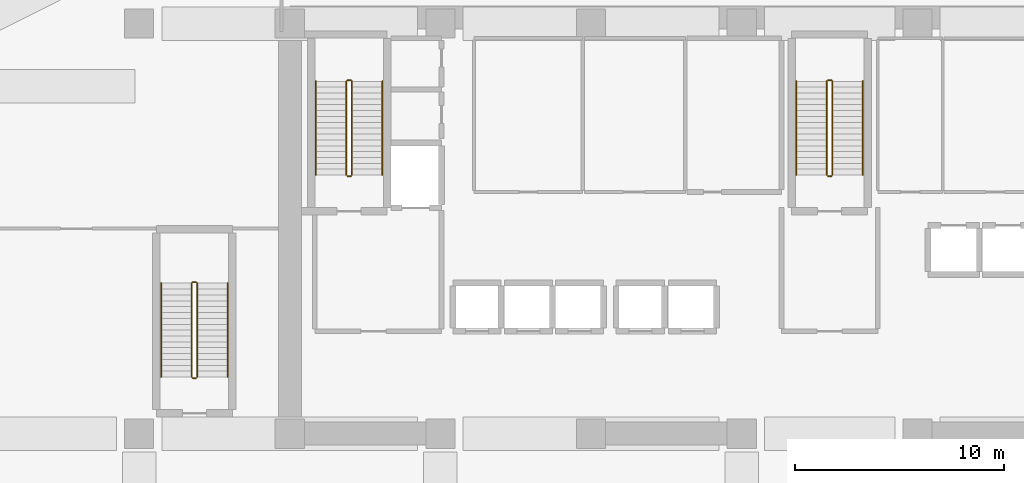
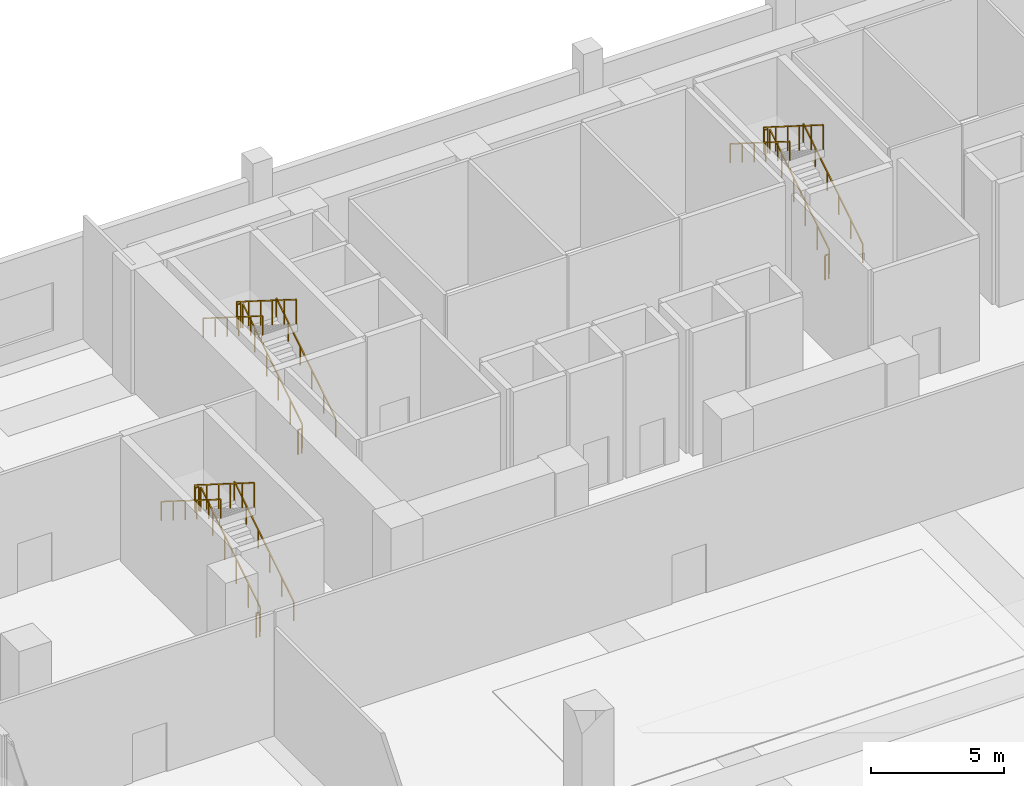
# One storey, part 24 of 25: 18 railings.
"""IFC4 building model written with IfcOpenShell, lengths in metres."""

from ifc_helpers import new_model, si_unit, direction, frame, origin, origin_2d, place, context, subcontext, project, spatial, rectangle, extrude, material, type_object, element, save


model = new_model("IFC4")

# Units and contexts
model_context = context("Model", 3, precision=1e-05, world=origin(), true_north=direction((0.0, 1.0)))
body_context = subcontext(model_context, "Body", "Model", "MODEL_VIEW")
ifc_project = project(units=[si_unit("LENGTHUNIT", "METRE"), si_unit("AREAUNIT", "SQUARE_METRE"), si_unit("VOLUMEUNIT", "CUBIC_METRE"), si_unit("PLANEANGLEUNIT", "RADIAN"), si_unit("MASSUNIT", "GRAM", prefix="KILO")], contexts=[model_context])

# Site, building, storey
site_placement = place(None, origin())
site = spatial("IfcSite", under=ifc_project, at=site_placement, CompositionType="ELEMENT")
building_placement = place(site_placement, origin())
building = spatial("IfcBuilding", under=site, at=building_placement, Name="Kaelvorn Grand Hotel", CompositionType="ELEMENT")
storey_placement = place(building_placement, frame((0.0, 0.0, 8.0)))
storey = spatial("IfcBuildingStorey", under=building, at=storey_placement, Name="L01", CompositionType="ELEMENT", Elevation=8.0)

# Railings
ifc_material = material(Name="Stainless Steel", Category="steel")
railing_type_1 = type_object("IfcRailingType", Name="RL-HANDRAIL-900", PredefinedType="HANDRAIL", material=ifc_material)
railing_1_placement = place(storey_placement, frame((20.6298828125, 41.760009765625, 0.176513671875)))
element("IfcRailing", 1, at=railing_1_placement, inside=storey, type_object=railing_type_1, Name="L01 ST1 stair handrail 1", PredefinedType="HANDRAIL", context=body_context, shape_type="SweptSolid", body=[
    extrude(rectangle(XDim=0.048095703125, YDim=0.048095703125, at=origin_2d()), frame((0.0, 0.0, 0.8759765625), z_axis=(0.0, 0.845997938375, 0.533186166611), x_axis=(-1.0, 0.0, 0.0)), (0.0, 0.0, 1.0), 5.29541015625),
    extrude(rectangle(XDim=0.0419921875, YDim=0.0419921875, at=origin_2d()), origin(), (0.0, 0.0, 1.0), 0.851806640625),
    extrude(rectangle(XDim=0.0419921875, YDim=0.0419921875, at=origin_2d()), frame((0.0, 0.89599609375, 0.564697265625)), (0.0, 0.0, 1.0), 0.851806640625),
    extrude(rectangle(XDim=0.0419921875, YDim=0.0419921875, at=origin_2d()), frame((0.0, 1.7919921875, 1.12939453125)), (0.0, 0.0, 1.0), 0.851806640625),
    extrude(rectangle(XDim=0.0419921875, YDim=0.0419921875, at=origin_2d()), frame((0.0, 2.68798828125, 1.694091796875)), (0.0, 0.0, 1.0), 0.851806640625),
    extrude(rectangle(XDim=0.0419921875, YDim=0.0419921875, at=origin_2d()), frame((0.0, 3.583984375, 2.2587890625)), (0.0, 0.0, 1.0), 0.851806640625),
    extrude(rectangle(XDim=0.0419921875, YDim=0.0419921875, at=origin_2d()), frame((0.0, 4.47998046875, 2.823486328125)), (0.0, 0.0, 1.0), 0.851806640625),
])
railing_2_placement = place(storey_placement, frame((17.449951171875, 46.239990234375, 3.176513671875)))
element("IfcRailing", 2, at=railing_2_placement, inside=storey, type_object=railing_type_1, Name="L01 ST1 stair handrail 2", PredefinedType="HANDRAIL", context=body_context, shape_type="SweptSolid", body=[
    extrude(rectangle(XDim=0.048095703125, YDim=0.048095703125, at=origin_2d()), frame((0.0, 0.0, 0.8759765625), z_axis=(0.0, -0.845997938375, 0.533186166611), x_axis=(1.0, 0.0, 0.0)), (0.0, 0.0, 1.0), 5.29541015625),
    extrude(rectangle(XDim=0.0419921875, YDim=0.0419921875, at=origin_2d()), origin(), (0.0, 0.0, 1.0), 0.851806640625),
    extrude(rectangle(XDim=0.0419921875, YDim=0.0419921875, at=origin_2d()), frame((0.0, -0.89599609375, 0.564697265625)), (0.0, 0.0, 1.0), 0.851806640625),
    extrude(rectangle(XDim=0.0419921875, YDim=0.0419921875, at=origin_2d()), frame((0.0, -1.7919921875, 1.12939453125)), (0.0, 0.0, 1.0), 0.851806640625),
    extrude(rectangle(XDim=0.0419921875, YDim=0.0419921875, at=origin_2d()), frame((0.0, -2.68798828125, 1.694091796875)), (0.0, 0.0, 1.0), 0.851806640625),
    extrude(rectangle(XDim=0.0419921875, YDim=0.0419921875, at=origin_2d()), frame((0.0, -3.583984375, 2.2587890625)), (0.0, 0.0, 1.0), 0.851806640625),
    extrude(rectangle(XDim=0.0419921875, YDim=0.0419921875, at=origin_2d()), frame((0.0, -4.47998046875, 2.823486328125)), (0.0, 0.0, 1.0), 0.851806640625),
])
railing_3_placement = place(storey_placement, frame((43.590087890625, 41.760009765625, 0.176513671875)))
element("IfcRailing", 3, at=railing_3_placement, inside=storey, type_object=railing_type_1, Name="L01 ST2 stair handrail 1", PredefinedType="HANDRAIL", context=body_context, shape_type="SweptSolid", body=[
    extrude(rectangle(XDim=0.048095703125, YDim=0.048095703125, at=origin_2d()), frame((0.0, 0.0, 0.8759765625), z_axis=(0.0, 0.845997938375, 0.533186166611), x_axis=(-1.0, 0.0, 0.0)), (0.0, 0.0, 1.0), 5.29541015625),
    extrude(rectangle(XDim=0.0419921875, YDim=0.0419921875, at=origin_2d()), origin(), (0.0, 0.0, 1.0), 0.851806640625),
    extrude(rectangle(XDim=0.0419921875, YDim=0.0419921875, at=origin_2d()), frame((0.0, 0.89599609375, 0.564697265625)), (0.0, 0.0, 1.0), 0.851806640625),
    extrude(rectangle(XDim=0.0419921875, YDim=0.0419921875, at=origin_2d()), frame((0.0, 1.7919921875, 1.12939453125)), (0.0, 0.0, 1.0), 0.851806640625),
    extrude(rectangle(XDim=0.0419921875, YDim=0.0419921875, at=origin_2d()), frame((0.0, 2.68798828125, 1.694091796875)), (0.0, 0.0, 1.0), 0.851806640625),
    extrude(rectangle(XDim=0.0419921875, YDim=0.0419921875, at=origin_2d()), frame((0.0, 3.583984375, 2.2587890625)), (0.0, 0.0, 1.0), 0.851806640625),
    extrude(rectangle(XDim=0.0419921875, YDim=0.0419921875, at=origin_2d()), frame((0.0, 4.47998046875, 2.823486328125)), (0.0, 0.0, 1.0), 0.851806640625),
])
railing_4_placement = place(storey_placement, frame((40.409912109375, 46.239990234375, 3.176513671875)))
element("IfcRailing", 4, at=railing_4_placement, inside=storey, type_object=railing_type_1, Name="L01 ST2 stair handrail 2", PredefinedType="HANDRAIL", context=body_context, shape_type="SweptSolid", body=[
    extrude(rectangle(XDim=0.048095703125, YDim=0.048095703125, at=origin_2d()), frame((0.0, 0.0, 0.8759765625), z_axis=(0.0, -0.845997938375, 0.533186166611), x_axis=(1.0, 0.0, 0.0)), (0.0, 0.0, 1.0), 5.29541015625),
    extrude(rectangle(XDim=0.0419921875, YDim=0.0419921875, at=origin_2d()), origin(), (0.0, 0.0, 1.0), 0.851806640625),
    extrude(rectangle(XDim=0.0419921875, YDim=0.0419921875, at=origin_2d()), frame((0.0, -0.89599609375, 0.564697265625)), (0.0, 0.0, 1.0), 0.851806640625),
    extrude(rectangle(XDim=0.0419921875, YDim=0.0419921875, at=origin_2d()), frame((0.0, -1.7919921875, 1.12939453125)), (0.0, 0.0, 1.0), 0.851806640625),
    extrude(rectangle(XDim=0.0419921875, YDim=0.0419921875, at=origin_2d()), frame((0.0, -2.68798828125, 1.694091796875)), (0.0, 0.0, 1.0), 0.851806640625),
    extrude(rectangle(XDim=0.0419921875, YDim=0.0419921875, at=origin_2d()), frame((0.0, -3.583984375, 2.2587890625)), (0.0, 0.0, 1.0), 0.851806640625),
    extrude(rectangle(XDim=0.0419921875, YDim=0.0419921875, at=origin_2d()), frame((0.0, -4.47998046875, 2.823486328125)), (0.0, 0.0, 1.0), 0.851806640625),
])
railing_5_placement = place(storey_placement, frame((13.22998046875, 32.110107421875, 0.176513671875)))
element("IfcRailing", 5, at=railing_5_placement, inside=storey, type_object=railing_type_1, Name="L01 ST4 stair handrail 1", PredefinedType="HANDRAIL", context=body_context, shape_type="SweptSolid", body=[
    extrude(rectangle(XDim=0.048095703125, YDim=0.048095703125, at=origin_2d()), frame((0.0, 0.0, 0.8759765625), z_axis=(0.0, 0.845997938375, 0.533186166611), x_axis=(-1.0, 0.0, 0.0)), (0.0, 0.0, 1.0), 5.29541015625),
    extrude(rectangle(XDim=0.0419921875, YDim=0.0419921875, at=origin_2d()), origin(), (0.0, 0.0, 1.0), 0.851806640625),
    extrude(rectangle(XDim=0.0419921875, YDim=0.0419921875, at=origin_2d()), frame((0.0, 0.89599609375, 0.564697265625)), (0.0, 0.0, 1.0), 0.851806640625),
    extrude(rectangle(XDim=0.0419921875, YDim=0.0419921875, at=origin_2d()), frame((0.0, 1.7919921875, 1.12939453125)), (0.0, 0.0, 1.0), 0.851806640625),
    extrude(rectangle(XDim=0.0419921875, YDim=0.0419921875, at=origin_2d()), frame((0.0, 2.68798828125, 1.694091796875)), (0.0, 0.0, 1.0), 0.851806640625),
    extrude(rectangle(XDim=0.0419921875, YDim=0.0419921875, at=origin_2d()), frame((0.0, 3.583984375, 2.2587890625)), (0.0, 0.0, 1.0), 0.851806640625),
    extrude(rectangle(XDim=0.0419921875, YDim=0.0419921875, at=origin_2d()), frame((0.0, 4.47998046875, 2.823486328125)), (0.0, 0.0, 1.0), 0.851806640625),
])
railing_6_placement = place(storey_placement, frame((10.050048828125, 36.590087890625, 3.176513671875)))
element("IfcRailing", 6, at=railing_6_placement, inside=storey, type_object=railing_type_1, Name="L01 ST4 stair handrail 2", PredefinedType="HANDRAIL", context=body_context, shape_type="SweptSolid", body=[
    extrude(rectangle(XDim=0.048095703125, YDim=0.048095703125, at=origin_2d()), frame((0.0, 0.0, 0.8759765625), z_axis=(0.0, -0.845997938375, 0.533186166611), x_axis=(1.0, 0.0, 0.0)), (0.0, 0.0, 1.0), 5.29541015625),
    extrude(rectangle(XDim=0.0419921875, YDim=0.0419921875, at=origin_2d()), origin(), (0.0, 0.0, 1.0), 0.851806640625),
    extrude(rectangle(XDim=0.0419921875, YDim=0.0419921875, at=origin_2d()), frame((0.0, -0.89599609375, 0.564697265625)), (0.0, 0.0, 1.0), 0.851806640625),
    extrude(rectangle(XDim=0.0419921875, YDim=0.0419921875, at=origin_2d()), frame((0.0, -1.7919921875, 1.12939453125)), (0.0, 0.0, 1.0), 0.851806640625),
    extrude(rectangle(XDim=0.0419921875, YDim=0.0419921875, at=origin_2d()), frame((0.0, -2.68798828125, 1.694091796875)), (0.0, 0.0, 1.0), 0.851806640625),
    extrude(rectangle(XDim=0.0419921875, YDim=0.0419921875, at=origin_2d()), frame((0.0, -3.583984375, 2.2587890625)), (0.0, 0.0, 1.0), 0.851806640625),
    extrude(rectangle(XDim=0.0419921875, YDim=0.0419921875, at=origin_2d()), frame((0.0, -4.47998046875, 2.823486328125)), (0.0, 0.0, 1.0), 0.851806640625),
])
railing_type_2 = type_object("IfcRailingType", Name="RL-STAIR-GUARD-1150", PredefinedType="BALUSTRADE", material=ifc_material)
railing_7_placement = place(storey_placement, frame((19.169921875, 41.760009765625, 0.176513671875)))
element("IfcRailing", 7, at=railing_7_placement, inside=storey, type_object=railing_type_2, Name="L01 ST1 stair guard 1", PredefinedType="BALUSTRADE", context=body_context, shape_type="SweptSolid", body=[
    extrude(rectangle(XDim=0.048095703125, YDim=0.048095703125, at=origin_2d()), frame((0.0, 0.0, 1.1259765625), z_axis=(0.0, 0.845997938375, 0.533186166611), x_axis=(-1.0, 0.0, 0.0)), (0.0, 0.0, 1.0), 5.29541015625),
    extrude(rectangle(XDim=0.0419921875, YDim=0.0419921875, at=origin_2d()), origin(), (0.0, 0.0, 1.0), 1.101806640625),
    extrude(rectangle(XDim=0.0419921875, YDim=0.0419921875, at=origin_2d()), frame((0.0, 0.89599609375, 0.564697265625)), (0.0, 0.0, 1.0), 1.101806640625),
    extrude(rectangle(XDim=0.0419921875, YDim=0.0419921875, at=origin_2d()), frame((0.0, 1.7919921875, 1.12939453125)), (0.0, 0.0, 1.0), 1.101806640625),
    extrude(rectangle(XDim=0.0419921875, YDim=0.0419921875, at=origin_2d()), frame((0.0, 2.68798828125, 1.694091796875)), (0.0, 0.0, 1.0), 1.101806640625),
    extrude(rectangle(XDim=0.0419921875, YDim=0.0419921875, at=origin_2d()), frame((0.0, 3.583984375, 2.2587890625)), (0.0, 0.0, 1.0), 1.101806640625),
    extrude(rectangle(XDim=0.0419921875, YDim=0.0419921875, at=origin_2d()), frame((0.0, 4.47998046875, 2.823486328125)), (0.0, 0.0, 1.0), 1.101806640625),
])
railing_8_placement = place(storey_placement, frame((19.1201171875, 46.2900390625, 3.0)))
element("IfcRailing", 8, at=railing_8_placement, inside=storey, type_object=railing_type_2, Name="L01 ST1 stair guard 2", PredefinedType="BALUSTRADE", context=body_context, shape_type="SweptSolid", body=[
    extrude(rectangle(XDim=0.048095703125, YDim=0.048095703125, at=origin_2d()), frame((0.0, 0.0, 1.1259765625), z_axis=(-1.0, 0.0, 0.0), x_axis=(0.0, -1.0, 0.0)), (0.0, 0.0, 1.0), 0.16015625),
    extrude(rectangle(XDim=0.0419921875, YDim=0.0419921875, at=origin_2d()), origin(), (0.0, 0.0, 1.0), 1.101806640625),
    extrude(rectangle(XDim=0.0419921875, YDim=0.0419921875, at=origin_2d()), frame((-0.16015625, 0.0, 0.0)), (0.0, 0.0, 1.0), 1.101806640625),
])
railing_9_placement = place(storey_placement, frame((18.909912109375, 46.239990234375, 3.176513671875)))
element("IfcRailing", 9, at=railing_9_placement, inside=storey, type_object=railing_type_2, Name="L01 ST1 stair guard 3", PredefinedType="BALUSTRADE", context=body_context, shape_type="SweptSolid", body=[
    extrude(rectangle(XDim=0.048095703125, YDim=0.048095703125, at=origin_2d()), frame((0.0, 0.0, 1.1259765625), z_axis=(0.0, -0.845997938375, 0.533186166611), x_axis=(1.0, 0.0, 0.0)), (0.0, 0.0, 1.0), 5.29541015625),
    extrude(rectangle(XDim=0.0419921875, YDim=0.0419921875, at=origin_2d()), origin(), (0.0, 0.0, 1.0), 1.101806640625),
    extrude(rectangle(XDim=0.0419921875, YDim=0.0419921875, at=origin_2d()), frame((0.0, -0.89599609375, 0.564697265625)), (0.0, 0.0, 1.0), 1.101806640625),
    extrude(rectangle(XDim=0.0419921875, YDim=0.0419921875, at=origin_2d()), frame((0.0, -1.7919921875, 1.12939453125)), (0.0, 0.0, 1.0), 1.101806640625),
    extrude(rectangle(XDim=0.0419921875, YDim=0.0419921875, at=origin_2d()), frame((0.0, -2.68798828125, 1.694091796875)), (0.0, 0.0, 1.0), 1.101806640625),
    extrude(rectangle(XDim=0.0419921875, YDim=0.0419921875, at=origin_2d()), frame((0.0, -3.583984375, 2.2587890625)), (0.0, 0.0, 1.0), 1.101806640625),
    extrude(rectangle(XDim=0.0419921875, YDim=0.0419921875, at=origin_2d()), frame((0.0, -4.47998046875, 2.823486328125)), (0.0, 0.0, 1.0), 1.101806640625),
])
railing_10_placement = place(storey_placement, frame((19.1201171875, 41.7099609375, 0.0)))
element("IfcRailing", 10, at=railing_10_placement, inside=storey, type_object=railing_type_2, Name="L01 ST1 stair guard 4", PredefinedType="BALUSTRADE", context=body_context, shape_type="SweptSolid", body=[
    extrude(rectangle(XDim=0.048095703125, YDim=0.048095703125, at=origin_2d()), frame((0.0, 0.0, 1.1259765625), z_axis=(-1.0, 0.0, 0.0), x_axis=(0.0, -1.0, 0.0)), (0.0, 0.0, 1.0), 0.16015625),
    extrude(rectangle(XDim=0.0419921875, YDim=0.0419921875, at=origin_2d()), origin(), (0.0, 0.0, 1.0), 1.101806640625),
    extrude(rectangle(XDim=0.0419921875, YDim=0.0419921875, at=origin_2d()), frame((-0.16015625, 0.0, 0.0)), (0.0, 0.0, 1.0), 1.101806640625),
])
railing_11_placement = place(storey_placement, frame((42.1298828125, 41.760009765625, 0.176513671875)))
element("IfcRailing", 11, at=railing_11_placement, inside=storey, type_object=railing_type_2, Name="L01 ST2 stair guard 1", PredefinedType="BALUSTRADE", context=body_context, shape_type="SweptSolid", body=[
    extrude(rectangle(XDim=0.048095703125, YDim=0.048095703125, at=origin_2d()), frame((0.0, 0.0, 1.1259765625), z_axis=(0.0, 0.845997938375, 0.533186166611), x_axis=(-1.0, 0.0, 0.0)), (0.0, 0.0, 1.0), 5.29541015625),
    extrude(rectangle(XDim=0.0419921875, YDim=0.0419921875, at=origin_2d()), origin(), (0.0, 0.0, 1.0), 1.101806640625),
    extrude(rectangle(XDim=0.0419921875, YDim=0.0419921875, at=origin_2d()), frame((0.0, 0.89599609375, 0.564697265625)), (0.0, 0.0, 1.0), 1.101806640625),
    extrude(rectangle(XDim=0.0419921875, YDim=0.0419921875, at=origin_2d()), frame((0.0, 1.7919921875, 1.12939453125)), (0.0, 0.0, 1.0), 1.101806640625),
    extrude(rectangle(XDim=0.0419921875, YDim=0.0419921875, at=origin_2d()), frame((0.0, 2.68798828125, 1.694091796875)), (0.0, 0.0, 1.0), 1.101806640625),
    extrude(rectangle(XDim=0.0419921875, YDim=0.0419921875, at=origin_2d()), frame((0.0, 3.583984375, 2.2587890625)), (0.0, 0.0, 1.0), 1.101806640625),
    extrude(rectangle(XDim=0.0419921875, YDim=0.0419921875, at=origin_2d()), frame((0.0, 4.47998046875, 2.823486328125)), (0.0, 0.0, 1.0), 1.101806640625),
])
railing_12_placement = place(storey_placement, frame((42.080078125, 46.2900390625, 3.0)))
element("IfcRailing", 12, at=railing_12_placement, inside=storey, type_object=railing_type_2, Name="L01 ST2 stair guard 2", PredefinedType="BALUSTRADE", context=body_context, shape_type="SweptSolid", body=[
    extrude(rectangle(XDim=0.048095703125, YDim=0.048095703125, at=origin_2d()), frame((0.0, 0.0, 1.1259765625), z_axis=(-1.0, 0.0, 0.0), x_axis=(0.0, -1.0, 0.0)), (0.0, 0.0, 1.0), 0.16015625),
    extrude(rectangle(XDim=0.0419921875, YDim=0.0419921875, at=origin_2d()), origin(), (0.0, 0.0, 1.0), 1.101806640625),
    extrude(rectangle(XDim=0.0419921875, YDim=0.0419921875, at=origin_2d()), frame((-0.16015625, 0.0, 0.0)), (0.0, 0.0, 1.0), 1.101806640625),
])
railing_13_placement = place(storey_placement, frame((41.8701171875, 46.239990234375, 3.176513671875)))
element("IfcRailing", 13, at=railing_13_placement, inside=storey, type_object=railing_type_2, Name="L01 ST2 stair guard 3", PredefinedType="BALUSTRADE", context=body_context, shape_type="SweptSolid", body=[
    extrude(rectangle(XDim=0.048095703125, YDim=0.048095703125, at=origin_2d()), frame((0.0, 0.0, 1.1259765625), z_axis=(0.0, -0.845997938375, 0.533186166611), x_axis=(1.0, 0.0, 0.0)), (0.0, 0.0, 1.0), 5.29541015625),
    extrude(rectangle(XDim=0.0419921875, YDim=0.0419921875, at=origin_2d()), origin(), (0.0, 0.0, 1.0), 1.101806640625),
    extrude(rectangle(XDim=0.0419921875, YDim=0.0419921875, at=origin_2d()), frame((0.0, -0.89599609375, 0.564697265625)), (0.0, 0.0, 1.0), 1.101806640625),
    extrude(rectangle(XDim=0.0419921875, YDim=0.0419921875, at=origin_2d()), frame((0.0, -1.7919921875, 1.12939453125)), (0.0, 0.0, 1.0), 1.101806640625),
    extrude(rectangle(XDim=0.0419921875, YDim=0.0419921875, at=origin_2d()), frame((0.0, -2.68798828125, 1.694091796875)), (0.0, 0.0, 1.0), 1.101806640625),
    extrude(rectangle(XDim=0.0419921875, YDim=0.0419921875, at=origin_2d()), frame((0.0, -3.583984375, 2.2587890625)), (0.0, 0.0, 1.0), 1.101806640625),
    extrude(rectangle(XDim=0.0419921875, YDim=0.0419921875, at=origin_2d()), frame((0.0, -4.47998046875, 2.823486328125)), (0.0, 0.0, 1.0), 1.101806640625),
])
railing_14_placement = place(storey_placement, frame((42.080078125, 41.7099609375, 0.0)))
element("IfcRailing", 14, at=railing_14_placement, inside=storey, type_object=railing_type_2, Name="L01 ST2 stair guard 4", PredefinedType="BALUSTRADE", context=body_context, shape_type="SweptSolid", body=[
    extrude(rectangle(XDim=0.048095703125, YDim=0.048095703125, at=origin_2d()), frame((0.0, 0.0, 1.1259765625), z_axis=(-1.0, 0.0, 0.0), x_axis=(0.0, -1.0, 0.0)), (0.0, 0.0, 1.0), 0.16015625),
    extrude(rectangle(XDim=0.0419921875, YDim=0.0419921875, at=origin_2d()), origin(), (0.0, 0.0, 1.0), 1.101806640625),
    extrude(rectangle(XDim=0.0419921875, YDim=0.0419921875, at=origin_2d()), frame((-0.16015625, 0.0, 0.0)), (0.0, 0.0, 1.0), 1.101806640625),
])
railing_15_placement = place(storey_placement, frame((11.77001953125, 32.110107421875, 0.176513671875)))
element("IfcRailing", 15, at=railing_15_placement, inside=storey, type_object=railing_type_2, Name="L01 ST4 stair guard 1", PredefinedType="BALUSTRADE", context=body_context, shape_type="SweptSolid", body=[
    extrude(rectangle(XDim=0.048095703125, YDim=0.048095703125, at=origin_2d()), frame((0.0, 0.0, 1.1259765625), z_axis=(0.0, 0.845997938375, 0.533186166611), x_axis=(-1.0, 0.0, 0.0)), (0.0, 0.0, 1.0), 5.29541015625),
    extrude(rectangle(XDim=0.0419921875, YDim=0.0419921875, at=origin_2d()), origin(), (0.0, 0.0, 1.0), 1.101806640625),
    extrude(rectangle(XDim=0.0419921875, YDim=0.0419921875, at=origin_2d()), frame((0.0, 0.89599609375, 0.564697265625)), (0.0, 0.0, 1.0), 1.101806640625),
    extrude(rectangle(XDim=0.0419921875, YDim=0.0419921875, at=origin_2d()), frame((0.0, 1.7919921875, 1.12939453125)), (0.0, 0.0, 1.0), 1.101806640625),
    extrude(rectangle(XDim=0.0419921875, YDim=0.0419921875, at=origin_2d()), frame((0.0, 2.68798828125, 1.694091796875)), (0.0, 0.0, 1.0), 1.101806640625),
    extrude(rectangle(XDim=0.0419921875, YDim=0.0419921875, at=origin_2d()), frame((0.0, 3.583984375, 2.2587890625)), (0.0, 0.0, 1.0), 1.101806640625),
    extrude(rectangle(XDim=0.0419921875, YDim=0.0419921875, at=origin_2d()), frame((0.0, 4.47998046875, 2.823486328125)), (0.0, 0.0, 1.0), 1.101806640625),
])
railing_16_placement = place(storey_placement, frame((11.719970703125, 36.639892578125, 3.0)))
element("IfcRailing", 16, at=railing_16_placement, inside=storey, type_object=railing_type_2, Name="L01 ST4 stair guard 2", PredefinedType="BALUSTRADE", context=body_context, shape_type="SweptSolid", body=[
    extrude(rectangle(XDim=0.048095703125, YDim=0.048095703125, at=origin_2d()), frame((0.0, 0.0, 1.1259765625), z_axis=(-1.0, 0.0, 0.0), x_axis=(0.0, -1.0, 0.0)), (0.0, 0.0, 1.0), 0.159912109375),
    extrude(rectangle(XDim=0.0419921875, YDim=0.0419921875, at=origin_2d()), origin(), (0.0, 0.0, 1.0), 1.101806640625),
    extrude(rectangle(XDim=0.0419921875, YDim=0.0419921875, at=origin_2d()), frame((-0.159912109375, 0.0, 0.0)), (0.0, 0.0, 1.0), 1.101806640625),
])
railing_17_placement = place(storey_placement, frame((11.510009765625, 36.590087890625, 3.176513671875)))
element("IfcRailing", 17, at=railing_17_placement, inside=storey, type_object=railing_type_2, Name="L01 ST4 stair guard 3", PredefinedType="BALUSTRADE", context=body_context, shape_type="SweptSolid", body=[
    extrude(rectangle(XDim=0.048095703125, YDim=0.048095703125, at=origin_2d()), frame((0.0, 0.0, 1.1259765625), z_axis=(0.0, -0.845997938375, 0.533186166611), x_axis=(1.0, 0.0, 0.0)), (0.0, 0.0, 1.0), 5.29541015625),
    extrude(rectangle(XDim=0.0419921875, YDim=0.0419921875, at=origin_2d()), origin(), (0.0, 0.0, 1.0), 1.101806640625),
    extrude(rectangle(XDim=0.0419921875, YDim=0.0419921875, at=origin_2d()), frame((0.0, -0.89599609375, 0.564697265625)), (0.0, 0.0, 1.0), 1.101806640625),
    extrude(rectangle(XDim=0.0419921875, YDim=0.0419921875, at=origin_2d()), frame((0.0, -1.7919921875, 1.12939453125)), (0.0, 0.0, 1.0), 1.101806640625),
    extrude(rectangle(XDim=0.0419921875, YDim=0.0419921875, at=origin_2d()), frame((0.0, -2.68798828125, 1.694091796875)), (0.0, 0.0, 1.0), 1.101806640625),
    extrude(rectangle(XDim=0.0419921875, YDim=0.0419921875, at=origin_2d()), frame((0.0, -3.583984375, 2.2587890625)), (0.0, 0.0, 1.0), 1.101806640625),
    extrude(rectangle(XDim=0.0419921875, YDim=0.0419921875, at=origin_2d()), frame((0.0, -4.47998046875, 2.823486328125)), (0.0, 0.0, 1.0), 1.101806640625),
])
railing_18_placement = place(storey_placement, frame((11.719970703125, 32.06005859375, 0.0)))
element("IfcRailing", 18, at=railing_18_placement, inside=storey, type_object=railing_type_2, Name="L01 ST4 stair guard 4", PredefinedType="BALUSTRADE", context=body_context, shape_type="SweptSolid", body=[
    extrude(rectangle(XDim=0.048095703125, YDim=0.048095703125, at=origin_2d()), frame((0.0, 0.0, 1.1259765625), z_axis=(-1.0, 0.0, 0.0), x_axis=(0.0, -1.0, 0.0)), (0.0, 0.0, 1.0), 0.159912109375),
    extrude(rectangle(XDim=0.0419921875, YDim=0.0419921875, at=origin_2d()), origin(), (0.0, 0.0, 1.0), 1.101806640625),
    extrude(rectangle(XDim=0.0419921875, YDim=0.0419921875, at=origin_2d()), frame((-0.159912109375, 0.0, 0.0)), (0.0, 0.0, 1.0), 1.101806640625),
])

save(model, "model.ifc")
